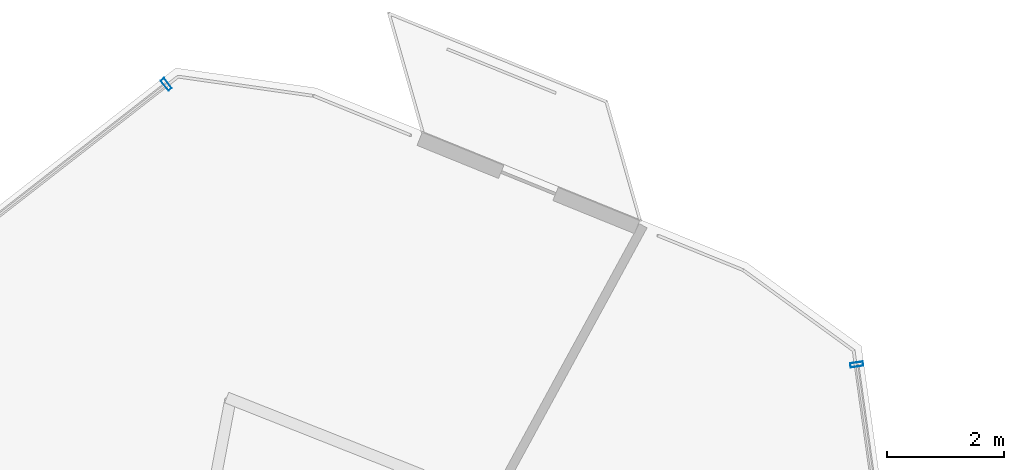
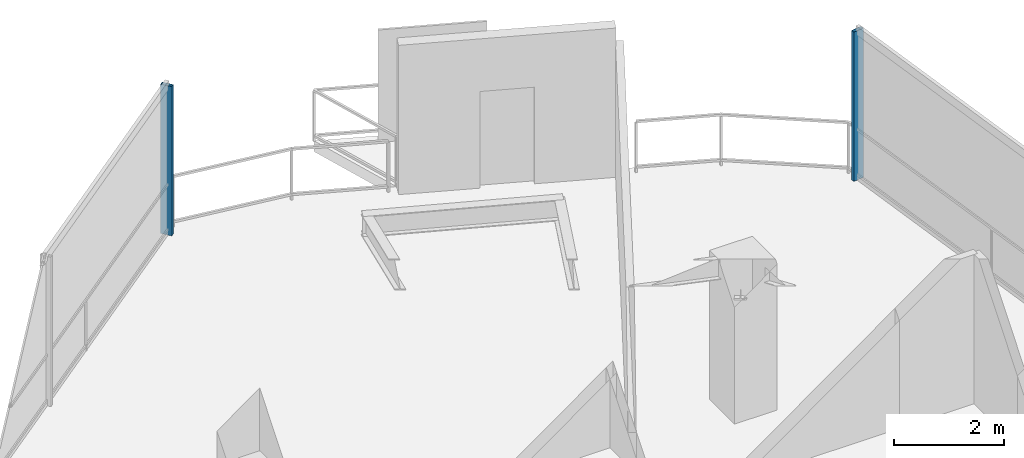
# One storey, part 14 of 19: 2 members, 2 elements without a shape of their own.
"""IFC4 building model written with IfcOpenShell, lengths in metres."""

from ifc_helpers import new_model, si_unit, direction, frame, origin, origin_2d, place, context, subcontext, project, spatial, hollow_rectangle, extrude, material, layer, layer_set, material_profile, profile_set, type_object, element, aggregate, save


model = new_model("IFC4")

# Units and contexts
model_context = context("Model", 3, precision=1e-05, world=origin(), true_north=direction((0.0, 1.0)))
body_context = subcontext(model_context, "Body", "Model", "MODEL_VIEW")
ifc_project = project(units=[si_unit("LENGTHUNIT", "METRE"), si_unit("AREAUNIT", "SQUARE_METRE"), si_unit("VOLUMEUNIT", "CUBIC_METRE"), si_unit("PLANEANGLEUNIT", "RADIAN"), si_unit("MASSUNIT", "GRAM", prefix="KILO")], contexts=[model_context])

# Site, building, storey
site_placement = place(None, origin())
site = spatial("IfcSite", under=ifc_project, at=site_placement, CompositionType="ELEMENT")
building_placement = place(site_placement, origin())
building = spatial("IfcBuilding", under=site, at=building_placement, Name="Qarnah Convention Tower", CompositionType="ELEMENT")
storey_placement = place(building_placement, frame((0.0, 0.0, 209.39990234375)))
storey = spatial("IfcBuildingStorey", under=building, at=storey_placement, Name="L56", CompositionType="ELEMENT", Elevation=209.39990234375)

# Curtain wall, member
ifc_material_1 = material(Name="Tempered Low-E dark glass", Category="glass")
ifc_layer = layer(ifc_material_1, 0.174072265625)
ifc_layer_set = layer_set([ifc_layer], Name="Tempered Low-E dark glass")
curtain_wall_type = type_object("IfcCurtainWallType", Name="CWS-04", PredefinedType="NOTDEFINED", material=ifc_layer_set)
curtain_wall_1_placement = place(storey_placement, origin())
curtain_wall_1 = element("IfcCurtainWall", 1, at=curtain_wall_1_placement, inside=storey, type_object=curtain_wall_type, Name="L56 unitised curtain wall CW-L56-F1", PredefinedType="NOTDEFINED")
ifc_material_2 = material(Name="Black anodised aluminium", Category="aluminium")
ifc_material_profile = material_profile(ifc_material_2, hollow_rectangle(XDim=0.074951171875, YDim=0.219970703125, WallThickness=0.0048828125, at=origin_2d()), Name="MUL-75X220")
ifc_profile_set = profile_set([ifc_material_profile], Name="Black anodised aluminium")
member_type = type_object("IfcMemberType", Name="MUL-T4", PredefinedType="MULLION", material=ifc_profile_set)
member_1_placement = place(storey_placement, frame((50.910888671875, 43.035888671875, 0.0), z_axis=(0.0, 0.0, 1.0), x_axis=(0.13780482888, -0.990459403074, 0.0)))
member_1 = element("IfcMember", 2, at=member_1_placement, type_object=member_type, Name="CW-L56-F1 mullion 1", PredefinedType="MULLION", context=body_context, shape_type="SweptSolid", body=[
    extrude(hollow_rectangle(XDim=0.074951171875, YDim=0.219970703125, WallThickness=0.0048828125, at=origin_2d()), origin(), (0.0, 0.0, 1.0), 3.320068359375),
])
aggregate(curtain_wall_1, [member_1])

curtain_wall_2_placement = place(storey_placement, origin())
curtain_wall_2 = element("IfcCurtainWall", 3, at=curtain_wall_2_placement, inside=storey, type_object=curtain_wall_type, Name="L56 unitised curtain wall CW-L56-F3", PredefinedType="NOTDEFINED")
member_2_placement = place(storey_placement, frame((39.14111328125, 47.81103515625, 0.0), z_axis=(0.0, 0.0, 1.0), x_axis=(0.788875563731, 0.614552963501, 0.0)))
member_2 = element("IfcMember", 4, at=member_2_placement, type_object=member_type, Name="CW-L56-F3 mullion 6", PredefinedType="MULLION", context=body_context, shape_type="SweptSolid", body=[
    extrude(hollow_rectangle(XDim=0.074951171875, YDim=0.219970703125, WallThickness=0.0048828125, at=origin_2d()), origin(), (0.0, 0.0, 1.0), 3.320068359375),
])
aggregate(curtain_wall_2, [member_2])

save(model, "model.ifc")
